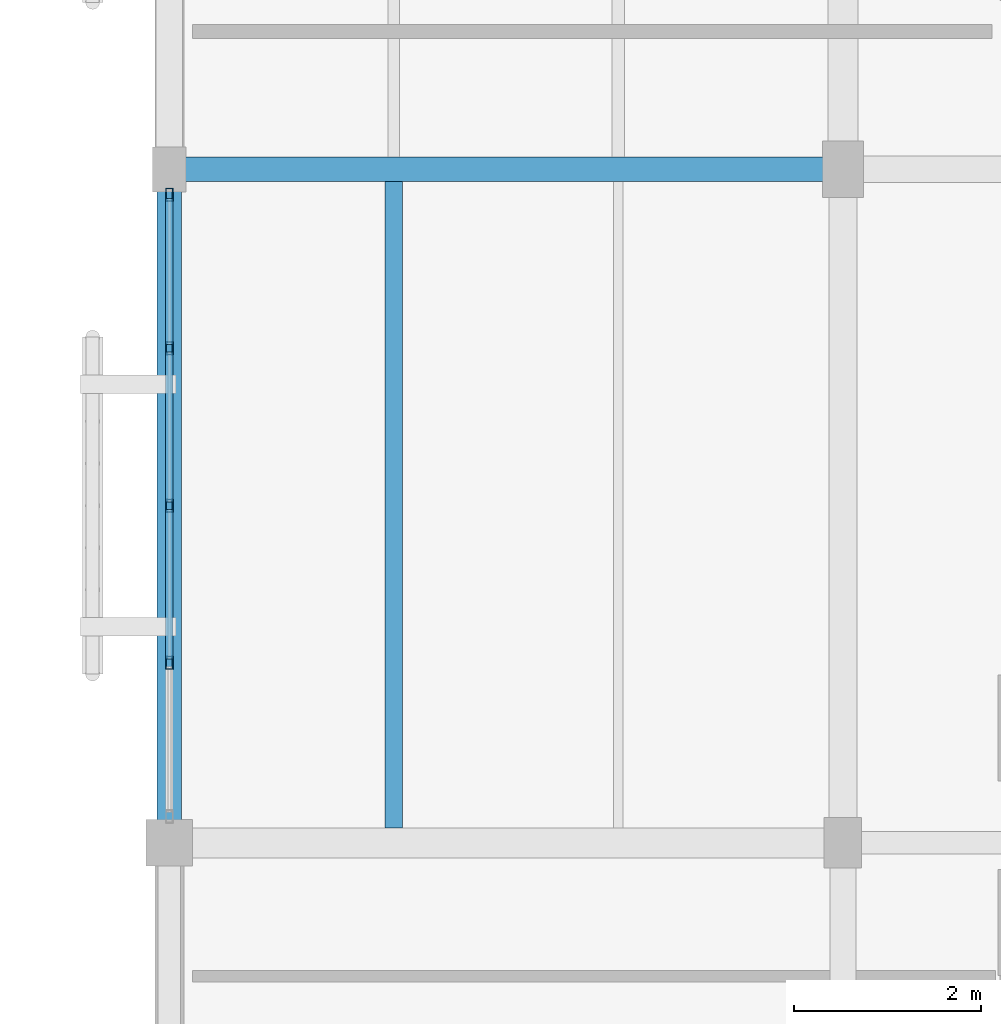
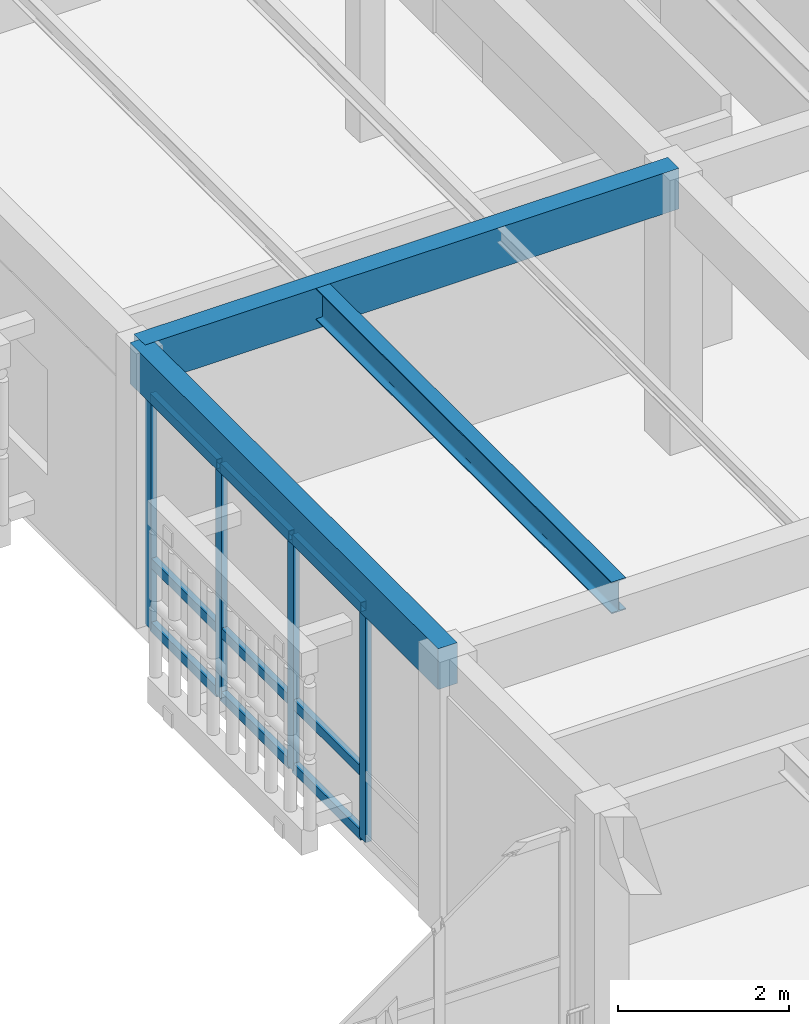
# One storey, part 113 of 217: 13 members, 3 beams, 1 element without a shape of its own.
"""IFC4 building model written with IfcOpenShell, lengths in metres."""

from ifc_helpers import new_model, si_unit, direction, frame, origin, origin_2d, place, context, subcontext, project, spatial, rectangle, hollow_rectangle, i_section, extrude, material, layer, layer_set, material_profile, profile_set, type_object, element, aggregate, save


model = new_model("IFC4")

# Units and contexts
model_context = context("Model", 3, precision=1e-05, world=origin(), true_north=direction((0.0, 1.0)))
body_context = subcontext(model_context, "Body", "Model", "MODEL_VIEW")
ifc_project = project(units=[si_unit("LENGTHUNIT", "METRE"), si_unit("AREAUNIT", "SQUARE_METRE"), si_unit("VOLUMEUNIT", "CUBIC_METRE"), si_unit("PLANEANGLEUNIT", "RADIAN"), si_unit("MASSUNIT", "GRAM", prefix="KILO")], contexts=[model_context])

# Site, building, storey
site_placement = place(None, origin())
site = spatial("IfcSite", under=ifc_project, at=site_placement, CompositionType="ELEMENT")
building_placement = place(site_placement, origin())
building = spatial("IfcBuilding", under=site, at=building_placement, Name="Mazaris Harbour Polytechnic", CompositionType="ELEMENT")
storey_placement = place(building_placement, frame((0.0, 0.0, 9.60009765625)))
storey = spatial("IfcBuildingStorey", under=building, at=storey_placement, Name="L02", CompositionType="ELEMENT", Elevation=9.60009765625)

# Curtain wall, members
ifc_material_1 = material(Name="Anodised Bronze Aluminium and Low-E Glass", Category="aluminium")
ifc_layer = layer(ifc_material_1, 0.169921875, Name="Anodised Bronze Aluminium and Low-E Glass")
ifc_layer_set = layer_set([ifc_layer], Name="Anodised Bronze Aluminium and Low-E Glass")
curtain_wall_type = type_object("IfcCurtainWallType", Name="Studio North-Light Curtain Wall", PredefinedType="NOTDEFINED", material=ifc_layer_set)
curtain_wall_placement = place(storey_placement, origin())
curtain_wall = element("IfcCurtainWall", 1, at=curtain_wall_placement, inside=storey, type_object=curtain_wall_type, Name="V5 L02 Curtain Wall 233", PredefinedType="NOTDEFINED")
ifc_material_2 = material(Name="Anodised Bronze Steel S355", Category="steel")
ifc_material_profile_1 = material_profile(ifc_material_2, hollow_rectangle(XDim=0.080078125, YDim=0.139892578125, WallThickness=0.00634765625, at=origin_2d()), Name="RHS 80x140x6.3")
ifc_profile_set_1 = profile_set([ifc_material_profile_1], Name="Anodised Bronze Steel S355")
member_type_1 = type_object("IfcMemberType", Name="Curtain Mullion RHS80x140", PredefinedType="MULLION", material=ifc_profile_set_1)
member_1_placement = place(storey_placement, frame((122.39990234375, 88.323486328125, 0.0), z_axis=(0.0, 0.0, 1.0), x_axis=(-1.0, 0.0, 0.0)))
member_1 = element("IfcMember", 2, at=member_1_placement, type_object=member_type_1, Name="CW-03 mullion 2", PredefinedType="MULLION", context=body_context, shape_type="SweptSolid", body=[
    extrude(hollow_rectangle(XDim=0.080078125, YDim=0.139892578125, WallThickness=0.00634765625, at=origin_2d()), origin(), (0.0, 0.0, 1.0), 3.329833984375),
])
member_2_placement = place(storey_placement, frame((122.39990234375, 90.0048828125, 0.0), z_axis=(0.0, 0.0, 1.0), x_axis=(-1.0, 0.0, 0.0)))
member_2 = element("IfcMember", 3, at=member_2_placement, type_object=member_type_1, Name="CW-03 mullion 3", PredefinedType="MULLION", context=body_context, shape_type="SweptSolid", body=[
    extrude(hollow_rectangle(XDim=0.080078125, YDim=0.139892578125, WallThickness=0.00634765625, at=origin_2d()), origin(), (0.0, 0.0, 1.0), 3.329833984375),
])
member_3_placement = place(storey_placement, frame((122.39990234375, 91.6865234375, 0.0), z_axis=(0.0, 0.0, 1.0), x_axis=(-1.0, 0.0, 0.0)))
member_3 = element("IfcMember", 4, at=member_3_placement, type_object=member_type_1, Name="CW-03 mullion 4", PredefinedType="MULLION", context=body_context, shape_type="SweptSolid", body=[
    extrude(hollow_rectangle(XDim=0.080078125, YDim=0.139892578125, WallThickness=0.00634765625, at=origin_2d()), origin(), (0.0, 0.0, 1.0), 3.329833984375),
])
member_4_placement = place(storey_placement, frame((122.39990234375, 93.327880859375, 0.0), z_axis=(0.0, 0.0, 1.0), x_axis=(-1.0, 0.0, 0.0)))
member_4 = element("IfcMember", 5, at=member_4_placement, type_object=member_type_1, Name="CW-03 mullion 5", PredefinedType="MULLION", context=body_context, shape_type="SweptSolid", body=[
    extrude(hollow_rectangle(XDim=0.080078125, YDim=0.139892578125, WallThickness=0.00634765625, at=origin_2d()), origin(), (0.0, 0.0, 1.0), 3.329833984375),
])
ifc_material_3 = material(Name="Anodised Bronze Steel S355", Category="steel")
ifc_material_profile_2 = material_profile(ifc_material_3, hollow_rectangle(XDim=0.080078125, YDim=0.139892578125, WallThickness=0.00634765625, at=origin_2d()), Name="RHS 80x140x6.3")
ifc_profile_set_2 = profile_set([ifc_material_profile_2], Name="Anodised Bronze Steel S355")
member_type_2 = type_object("IfcMemberType", Name="Curtain Transom RHS80x140", PredefinedType="USERDEFINED", material=ifc_profile_set_2)
member_5_placement = place(storey_placement, frame((122.39990234375, 88.363525390625, 0.039794921875), z_axis=(0.0, 1.0, 0.0), x_axis=(-1.0, 0.0, 0.0)))
member_5 = element("IfcMember", 6, at=member_5_placement, type_object=member_type_2, Name="CW-03 transom 2.1", ObjectType="TRANSOM", PredefinedType="USERDEFINED", context=body_context, shape_type="SweptSolid", body=[
    extrude(hollow_rectangle(XDim=0.080078125, YDim=0.139892578125, WallThickness=0.00634765625, at=origin_2d()), origin(), (0.0, 0.0, 1.0), 1.6015625),
])
member_6_placement = place(storey_placement, frame((122.39990234375, 88.363525390625, 0.949951171875), z_axis=(0.0, 1.0, 0.0), x_axis=(-1.0, 0.0, 0.0)))
member_6 = element("IfcMember", 7, at=member_6_placement, type_object=member_type_2, Name="CW-03 transom 2.2", ObjectType="TRANSOM", PredefinedType="USERDEFINED", context=body_context, shape_type="SweptSolid", body=[
    extrude(hollow_rectangle(XDim=0.080078125, YDim=0.139892578125, WallThickness=0.00634765625, at=origin_2d()), origin(), (0.0, 0.0, 1.0), 1.6015625),
])
member_7_placement = place(storey_placement, frame((122.39990234375, 88.363525390625, 3.289794921875), z_axis=(0.0, 1.0, 0.0), x_axis=(-1.0, 0.0, 0.0)))
member_7 = element("IfcMember", 8, at=member_7_placement, type_object=member_type_2, Name="CW-03 transom 2.3", ObjectType="TRANSOM", PredefinedType="USERDEFINED", context=body_context, shape_type="SweptSolid", body=[
    extrude(hollow_rectangle(XDim=0.080078125, YDim=0.139892578125, WallThickness=0.00634765625, at=origin_2d()), origin(), (0.0, 0.0, 1.0), 1.6015625),
])
member_8_placement = place(storey_placement, frame((122.39990234375, 90.044921875, 0.039794921875), z_axis=(0.0, 1.0, 0.0), x_axis=(-1.0, 0.0, 0.0)))
member_8 = element("IfcMember", 9, at=member_8_placement, type_object=member_type_2, Name="CW-03 transom 3.1", ObjectType="TRANSOM", PredefinedType="USERDEFINED", context=body_context, shape_type="SweptSolid", body=[
    extrude(hollow_rectangle(XDim=0.080078125, YDim=0.139892578125, WallThickness=0.00634765625, at=origin_2d()), origin(), (0.0, 0.0, 1.0), 1.6015625),
])
member_9_placement = place(storey_placement, frame((122.39990234375, 90.044921875, 0.949951171875), z_axis=(0.0, 1.0, 0.0), x_axis=(-1.0, 0.0, 0.0)))
member_9 = element("IfcMember", 10, at=member_9_placement, type_object=member_type_2, Name="CW-03 transom 3.2", ObjectType="TRANSOM", PredefinedType="USERDEFINED", context=body_context, shape_type="SweptSolid", body=[
    extrude(hollow_rectangle(XDim=0.080078125, YDim=0.139892578125, WallThickness=0.00634765625, at=origin_2d()), origin(), (0.0, 0.0, 1.0), 1.6015625),
])
member_10_placement = place(storey_placement, frame((122.39990234375, 90.044921875, 3.289794921875), z_axis=(0.0, 1.0, 0.0), x_axis=(-1.0, 0.0, 0.0)))
member_10 = element("IfcMember", 11, at=member_10_placement, type_object=member_type_2, Name="CW-03 transom 3.3", ObjectType="TRANSOM", PredefinedType="USERDEFINED", context=body_context, shape_type="SweptSolid", body=[
    extrude(hollow_rectangle(XDim=0.080078125, YDim=0.139892578125, WallThickness=0.00634765625, at=origin_2d()), origin(), (0.0, 0.0, 1.0), 1.6015625),
])
member_11_placement = place(storey_placement, frame((122.39990234375, 91.7265625, 0.039794921875), z_axis=(0.0, 1.0, 0.0), x_axis=(-1.0, 0.0, 0.0)))
member_11 = element("IfcMember", 12, at=member_11_placement, type_object=member_type_2, Name="CW-03 transom 4.1", ObjectType="TRANSOM", PredefinedType="USERDEFINED", context=body_context, shape_type="SweptSolid", body=[
    extrude(hollow_rectangle(XDim=0.080078125, YDim=0.139892578125, WallThickness=0.00634765625, at=origin_2d()), origin(), (0.0, 0.0, 1.0), 1.5615234375),
])
member_12_placement = place(storey_placement, frame((122.39990234375, 91.7265625, 0.949951171875), z_axis=(0.0, 1.0, 0.0), x_axis=(-1.0, 0.0, 0.0)))
member_12 = element("IfcMember", 13, at=member_12_placement, type_object=member_type_2, Name="CW-03 transom 4.2", ObjectType="TRANSOM", PredefinedType="USERDEFINED", context=body_context, shape_type="SweptSolid", body=[
    extrude(hollow_rectangle(XDim=0.080078125, YDim=0.139892578125, WallThickness=0.00634765625, at=origin_2d()), origin(), (0.0, 0.0, 1.0), 1.5615234375),
])
member_13_placement = place(storey_placement, frame((122.39990234375, 91.7265625, 3.289794921875), z_axis=(0.0, 1.0, 0.0), x_axis=(-1.0, 0.0, 0.0)))
member_13 = element("IfcMember", 14, at=member_13_placement, type_object=member_type_2, Name="CW-03 transom 4.3", ObjectType="TRANSOM", PredefinedType="USERDEFINED", context=body_context, shape_type="SweptSolid", body=[
    extrude(hollow_rectangle(XDim=0.080078125, YDim=0.139892578125, WallThickness=0.00634765625, at=origin_2d()), origin(), (0.0, 0.0, 1.0), 1.5615234375),
])
aggregate(curtain_wall, [member_1, member_2, member_3, member_4, member_5, member_6, member_7, member_8, member_9, member_10, member_11, member_12, member_13])

# Beams
ifc_material_4 = material(Name="Glulam GL32h", Category="wood")
ifc_material_profile_3 = material_profile(ifc_material_4, rectangle(XDim=0.260009765625, YDim=0.580078125, at=origin_2d()), Name="RECT260x580")
ifc_profile_set_3 = profile_set([ifc_material_profile_3], Name="Glulam GL32h")
beam_type_1 = type_object("IfcBeamType", Name="Glulam Girder 260x580", PredefinedType="BEAM", material=ifc_profile_set_3)
beam_1_placement = place(storey_placement, frame((122.39990234375, 93.60009765625, 3.6298828125), z_axis=(1.0, 0.0, 0.0), x_axis=(0.0, 1.0, 0.0)))
element("IfcBeam", 15, at=beam_1_placement, inside=storey, type_object=beam_type_1, Name="V5 L02 Girder 3156", PredefinedType="BEAM", context=body_context, shape_type="SweptSolid", body=[
    extrude(rectangle(XDim=0.260009765625, YDim=0.580078125, at=origin_2d()), origin(), (0.0, 0.0, 1.0), 7.2001953125),
])
ifc_material_5 = material(Name="Glulam GL32h", Category="wood")
ifc_material_profile_4 = material_profile(ifc_material_5, rectangle(XDim=0.260009765625, YDim=0.580078125, at=origin_2d()), Name="RECT260x580")
ifc_profile_set_4 = profile_set([ifc_material_profile_4], Name="Glulam GL32h")
beam_type_2 = type_object("IfcBeamType", Name="Glulam Girder 260x580 Exterior", PredefinedType="BEAM", material=ifc_profile_set_4)
beam_2_placement = place(storey_placement, frame((122.39990234375, 86.39990234375, 3.6298828125), z_axis=(0.0, 1.0, 0.0), x_axis=(-1.0, 0.0, 0.0)))
element("IfcBeam", 16, at=beam_2_placement, inside=storey, type_object=beam_type_2, Name="V5 L02 Tie Girder 3176", PredefinedType="BEAM", context=body_context, shape_type="SweptSolid", body=[
    extrude(rectangle(XDim=0.260009765625, YDim=0.580078125, at=origin_2d()), origin(), (0.0, 0.0, 1.0), 7.2001953125),
])
ifc_material_6 = material(Name="Steel S355", Category="steel")
ifc_material_profile_5 = material_profile(ifc_material_6, i_section(OverallWidth=0.18994140625, OverallDepth=0.449951171875, WebThickness=0.009521484375, FlangeThickness=0.0146484375, FilletRadius=0.02099609375, at=origin_2d()), Name="IPE 450")
ifc_profile_set_5 = profile_set([ifc_material_profile_5], Name="Steel S355")
beam_type_3 = type_object("IfcBeamType", Name="Steel Joist IPE450", PredefinedType="JOIST", material=ifc_profile_set_5)
beam_3_placement = place(storey_placement, frame((124.800048828125, 86.56005859375, 3.69482421875), z_axis=(0.0, 1.0, 0.0), x_axis=(-1.0, 0.0, 0.0)))
element("IfcBeam", 17, at=beam_3_placement, inside=storey, type_object=beam_type_3, Name="V5 L02 Floor Joist 3233", PredefinedType="JOIST", context=body_context, shape_type="SweptSolid", body=[
    extrude(i_section(OverallWidth=0.18994140625, OverallDepth=0.449951171875, WebThickness=0.009521484375, FlangeThickness=0.0146484375, FilletRadius=0.02099609375, at=origin_2d()), origin(), (0.0, 0.0, 1.0), 6.909912109375),
])

save(model, "model.ifc")
